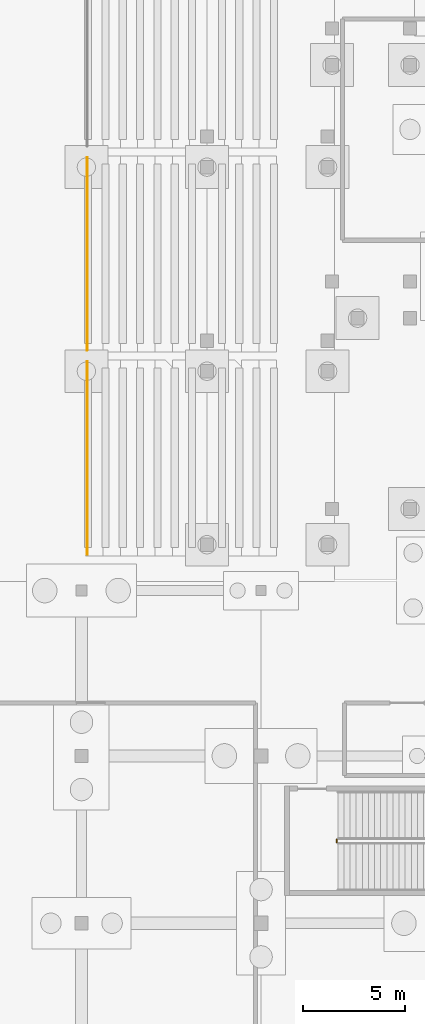
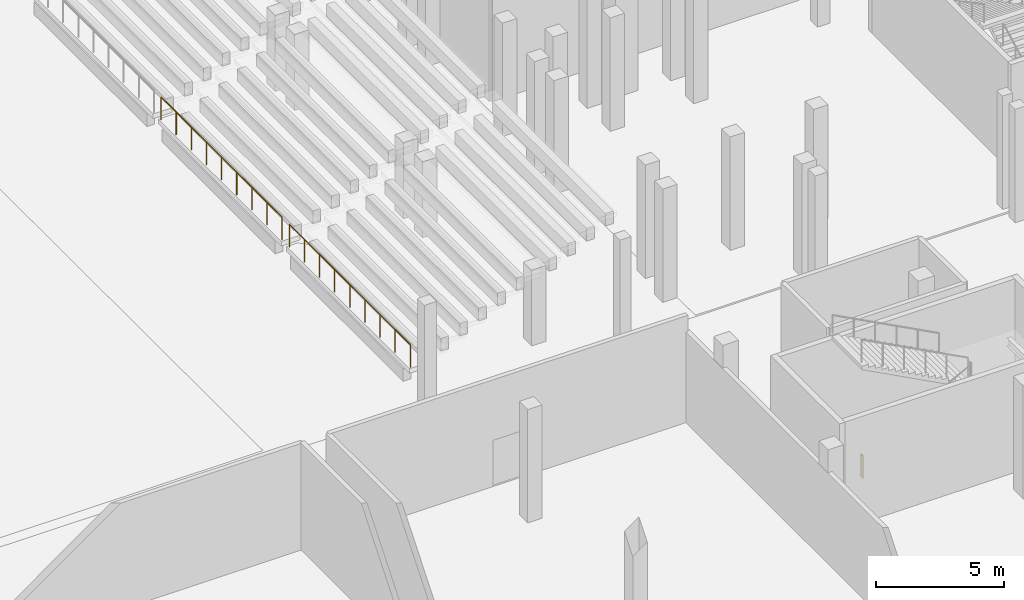
# One storey, part 74 of 89: 3 railings.
"""IFC4 building model written with IfcOpenShell, lengths in metres."""

from ifc_helpers import new_model, si_unit, direction, frame, origin, origin_2d, place, context, subcontext, project, spatial, circle, extrude, material, type_object, element, save


model = new_model("IFC4")

# Units and contexts
model_context = context("Model", 3, precision=1e-05, world=origin(), true_north=direction((0.0, 1.0)))
body_context = subcontext(model_context, "Body", "Model", "MODEL_VIEW")
ifc_project = project(units=[si_unit("LENGTHUNIT", "METRE"), si_unit("AREAUNIT", "SQUARE_METRE"), si_unit("VOLUMEUNIT", "CUBIC_METRE"), si_unit("PLANEANGLEUNIT", "RADIAN"), si_unit("MASSUNIT", "GRAM", prefix="KILO")], contexts=[model_context])

# Site, building, storey
site_placement = place(None, origin())
site = spatial("IfcSite", under=ifc_project, at=site_placement, CompositionType="ELEMENT")
building_placement = place(site_placement, origin())
building = spatial("IfcBuilding", under=site, at=building_placement, Name="Koshinbarg Plaza Stadium", CompositionType="ELEMENT")
storey_placement = place(building_placement, origin())
storey = spatial("IfcBuildingStorey", under=building, at=storey_placement, Name="L00", CompositionType="ELEMENT", Elevation=0.0)

# Railings
ifc_material_1 = material(Name="Toughened laminated glass and stainless steel sightline balustrade", Category="steel")
railing_type_1 = type_object("IfcRailingType", Name="RL-BOWL-1100", PredefinedType="BALUSTRADE", material=ifc_material_1)
for number, where, name in (
    (1, (163.080078125, 26.280029296875, 1.02001953125), "LT-E01 front stand crowd barrier"),
    (2, (163.080078125, 36.280029296875, 1.02001953125), "LT-E02 front stand crowd barrier"),
):
    element("IfcRailing", number, at=place(storey_placement, frame(where)), inside=storey, type_object=railing_type_1, Name=name, PredefinedType="BALUSTRADE", context=body_context, shape_type="SweptSolid", body=[
        extrude(circle(Radius=0.02392578125, at=origin_2d()), frame((0.0, 0.0, 1.076171875), z_axis=(0.0, 1.0, 0.0), x_axis=(-1.0, 0.0, 0.0)), (0.0, 0.0, 1.0), 9.43994140625),
        extrude(circle(Radius=0.02099609375, at=origin_2d()), origin(), (0.0, 0.0, 1.0), 1.052001953125),
        extrude(circle(Radius=0.02099609375, at=origin_2d()), frame((0.0, 1.179931640625, 0.0)), (0.0, 0.0, 1.0), 1.052001953125),
        extrude(circle(Radius=0.02099609375, at=origin_2d()), frame((0.0, 2.35986328125, 0.0)), (0.0, 0.0, 1.0), 1.052001953125),
        extrude(circle(Radius=0.02099609375, at=origin_2d()), frame((0.0, 3.5400390625, 0.0)), (0.0, 0.0, 1.0), 1.052001953125),
        extrude(circle(Radius=0.02099609375, at=origin_2d()), frame((0.0, 4.719970703125, 0.0)), (0.0, 0.0, 1.0), 1.052001953125),
        extrude(circle(Radius=0.02099609375, at=origin_2d()), frame((0.0, 5.89990234375, 0.0)), (0.0, 0.0, 1.0), 1.052001953125),
        extrude(circle(Radius=0.02099609375, at=origin_2d()), frame((0.0, 7.080078125, 0.0)), (0.0, 0.0, 1.0), 1.052001953125),
        extrude(circle(Radius=0.02099609375, at=origin_2d()), frame((0.0, 8.260009765625, 0.0)), (0.0, 0.0, 1.0), 1.052001953125),
        extrude(circle(Radius=0.02099609375, at=origin_2d()), frame((0.0, 9.43994140625, 0.0)), (0.0, 0.0, 1.0), 1.052001953125),
    ])
ifc_material_2 = material(Name="Galvanized painted steel guardrail", Category="steel")
railing_type_2 = type_object("IfcRailingType", Name="RL-GUARD-1100", PredefinedType="GUARDRAIL", material=ifc_material_2)
railing_placement = place(storey_placement, frame((175.31005859375, 12.159912109375, 0.0)))
element("IfcRailing", 3, at=railing_placement, inside=storey, type_object=railing_type_2, Name="L00 C14 stair guard 4", PredefinedType="GUARDRAIL", context=body_context, shape_type="SweptSolid", body=[
    extrude(circle(Radius=0.02392578125, at=origin_2d()), frame((0.0, 0.0, 1.076171875), z_axis=(0.0, 1.0, 0.0), x_axis=(-1.0, 0.0, 0.0)), (0.0, 0.0, 1.0), 0.150146484375),
    extrude(circle(Radius=0.02099609375, at=origin_2d()), origin(), (0.0, 0.0, 1.0), 1.052001953125),
    extrude(circle(Radius=0.02099609375, at=origin_2d()), frame((0.0, 0.150146484375, 0.0)), (0.0, 0.0, 1.0), 1.052001953125),
])

save(model, "model.ifc")
